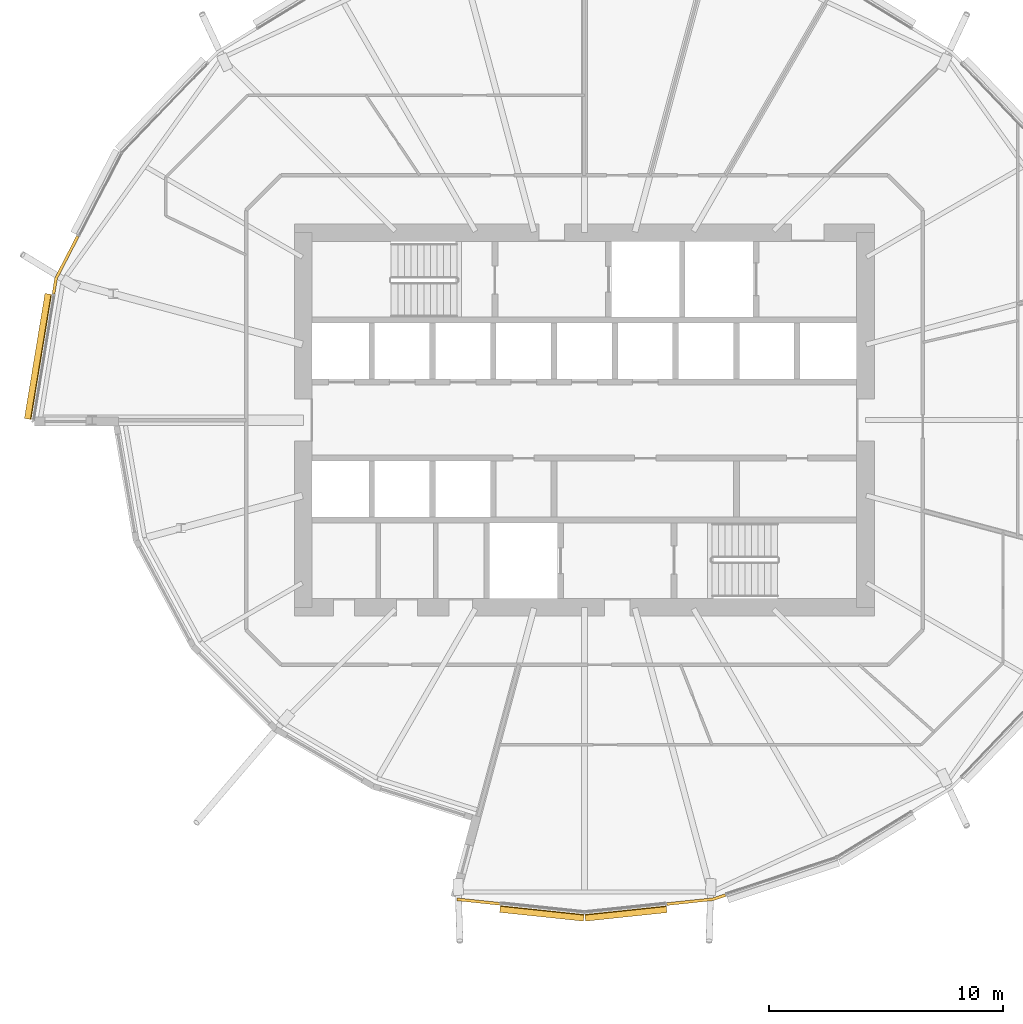
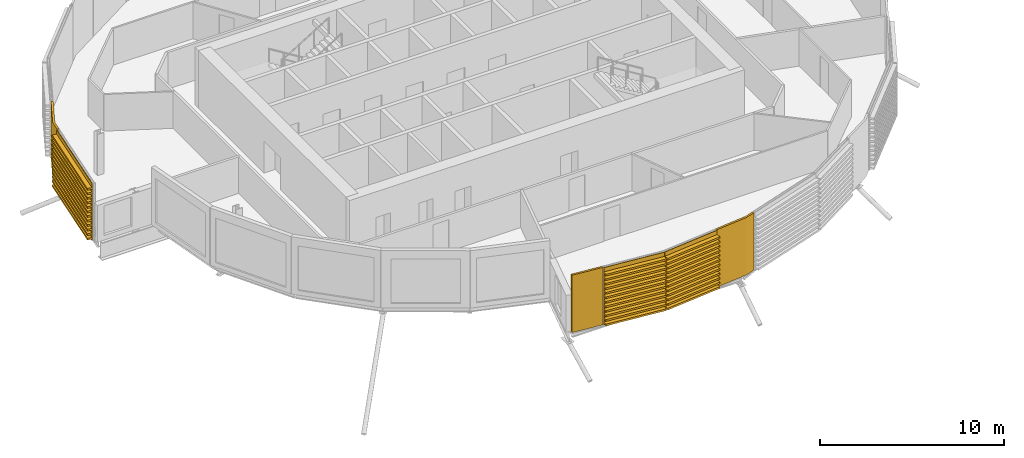
# One storey, part 33 of 39: 6 coverings.
"""IFC4 building model written with IfcOpenShell, lengths in metres."""

from ifc_helpers import new_model, si_unit, direction, frame, origin, place, context, subcontext, project, spatial, polyline, outline, extrude, material, layer, layer_set, material_profile, profile_set, type_object, element, save


model = new_model("IFC4")

# Units and contexts
model_context = context("Model", 3, precision=1e-05, world=origin(), true_north=direction((0.0, 1.0)))
body_context = subcontext(model_context, "Body", "Model", "MODEL_VIEW")
ifc_project = project(units=[si_unit("LENGTHUNIT", "METRE"), si_unit("AREAUNIT", "SQUARE_METRE"), si_unit("VOLUMEUNIT", "CUBIC_METRE"), si_unit("PLANEANGLEUNIT", "RADIAN"), si_unit("MASSUNIT", "GRAM", prefix="KILO")], contexts=[model_context])

# Site, building, storey
site_placement = place(None, origin())
site = spatial("IfcSite", under=ifc_project, at=site_placement, CompositionType="ELEMENT")
building_placement = place(site_placement, origin())
building = spatial("IfcBuilding", under=site, at=building_placement, Name="Rimbun Link Towers", CompositionType="ELEMENT")
storey_placement = place(building_placement, frame((0.0, 0.0, 96.800048828125)))
storey = spatial("IfcBuildingStorey", under=building, at=storey_placement, Name="L23", CompositionType="ELEMENT", Elevation=96.800048828125)

# Coverings
ifc_material_1 = material(Name="Terracotta", Category="masonry")
ifc_layer = layer(ifc_material_1, 0.1201171875)
ifc_layer_set = layer_set([ifc_layer], Name="LINK PIER terracotta cladding 120")
covering_type_1 = type_object("IfcCoveringType", Name="LINK PIER terracotta cladding 120", PredefinedType="CLADDING", material=ifc_layer_set)
covering_1_placement = place(storey_placement, origin())
element("IfcCovering", 1, at=covering_1_placement, inside=storey, type_object=covering_type_1, Name="LINK PIER cladding", PredefinedType="CLADDING", context=body_context, shape_type="SweptSolid", body=[
    extrude(outline(polyline([(-54.361572265625, 5.368408203125), (-54.252685546875, 6.029541015625), (-53.324462890625, 7.82373046875), (-53.43115234375, 7.87890625), (-54.3681640625, 6.06787109375), (-54.47998046875, 5.387939453125), (-54.361572265625, 5.368408203125)])), origin(), (0.0, 0.0, 1.0), 3.800048828125),
])
covering_2_placement = place(storey_placement, origin())
element("IfcCovering", 2, at=covering_2_placement, inside=storey, type_object=covering_type_1, Name="LINK PIER cladding", PredefinedType="CLADDING", context=body_context, shape_type="SweptSolid", body=[
    extrude(outline(polyline([(-35.356689453125, -20.59716796875), (-37.186767578125, -20.404541015625), (-37.19921875, -20.523681640625), (-35.369384765625, -20.716552734375), (-35.356689453125, -20.59716796875)])), origin(), (0.0, 0.0, 1.0), 3.800048828125),
])
covering_3_placement = place(storey_placement, origin())
element("IfcCovering", 3, at=covering_3_placement, inside=storey, type_object=covering_type_1, Name="LINK PIER cladding", PredefinedType="CLADDING", context=body_context, shape_type="SweptSolid", body=[
    extrude(outline(polyline([(-25.742431640625, -20.221923828125), (-26.283447265625, -20.4013671875), (-28.24267578125, -20.607666015625), (-28.22998046875, -20.72705078125), (-26.258056640625, -20.519287109375), (-25.70458984375, -20.3359375), (-25.742431640625, -20.221923828125)])), origin(), (0.0, 0.0, 1.0), 3.800048828125),
])
ifc_material_2 = material(Name="Terracotta", Category="masonry")
ifc_material_profile = material_profile(ifc_material_2, outline(polyline([(0.123046875, 0.0), (0.1630859375, 0.0), (0.1630859375, 0.10009765625), (0.423095703125, 0.10009765625), (0.423095703125, 0.219970703125), (0.1630859375, 0.219970703125), (0.1630859375, 0.39990234375), (0.423095703125, 0.39990234375), (0.423095703125, 0.52001953125), (0.1630859375, 0.52001953125), (0.1630859375, 0.699951171875), (0.423095703125, 0.699951171875), (0.423095703125, 0.820068359375), (0.1630859375, 0.820068359375), (0.1630859375, 1.0), (0.423095703125, 1.0), (0.423095703125, 1.1201171875), (0.1630859375, 1.1201171875), (0.1630859375, 1.300048828125), (0.423095703125, 1.300048828125), (0.423095703125, 1.419921875), (0.1630859375, 1.419921875), (0.1630859375, 1.60009765625), (0.423095703125, 1.60009765625), (0.423095703125, 1.719970703125), (0.1630859375, 1.719970703125), (0.1630859375, 1.89990234375), (0.423095703125, 1.89990234375), (0.423095703125, 2.02001953125), (0.1630859375, 2.02001953125), (0.1630859375, 2.199951171875), (0.423095703125, 2.199951171875), (0.423095703125, 2.320068359375), (0.1630859375, 2.320068359375), (0.1630859375, 2.5), (0.423095703125, 2.5), (0.423095703125, 2.6201171875), (0.1630859375, 2.6201171875), (0.1630859375, 2.800048828125), (0.423095703125, 2.800048828125), (0.423095703125, 2.919921875), (0.1630859375, 2.919921875), (0.1630859375, 3.10009765625), (0.423095703125, 3.10009765625), (0.423095703125, 3.219970703125), (0.1630859375, 3.219970703125), (0.1630859375, 3.39990234375), (0.423095703125, 3.39990234375), (0.423095703125, 3.52001953125), (0.1630859375, 3.52001953125), (0.1630859375, 3.800048828125), (0.123046875, 3.800048828125), (0.123046875, 0.0)])), Name="BAGUETTE 120X300")
ifc_profile_set = profile_set([ifc_material_profile], Name="Terracotta")
covering_type_2 = type_object("IfcCoveringType", Name="TERRACOTTA BAGUETTE 120X300 H3800", PredefinedType="CLADDING", material=ifc_profile_set)
covering_4_placement = place(storey_placement, frame((-55.244384765625, 0.0, 0.0), z_axis=(0.162261971035, 0.986747714847, 0.0), x_axis=(-0.986747714847, 0.162261971035, 0.0)))
element("IfcCovering", 4, at=covering_4_placement, inside=storey, type_object=covering_type_2, Name="TERRACOTTA BAGUETTE", PredefinedType="CLADDING", context=body_context, shape_type="SweptSolid", body=[
    extrude(outline(polyline([(0.123046875, 0.0), (0.1630859375, 0.0), (0.1630859375, 0.10009765625), (0.423095703125, 0.10009765625), (0.423095703125, 0.219970703125), (0.1630859375, 0.219970703125), (0.1630859375, 0.39990234375), (0.423095703125, 0.39990234375), (0.423095703125, 0.52001953125), (0.1630859375, 0.52001953125), (0.1630859375, 0.699951171875), (0.423095703125, 0.699951171875), (0.423095703125, 0.820068359375), (0.1630859375, 0.820068359375), (0.1630859375, 1.0), (0.423095703125, 1.0), (0.423095703125, 1.1201171875), (0.1630859375, 1.1201171875), (0.1630859375, 1.300048828125), (0.423095703125, 1.300048828125), (0.423095703125, 1.419921875), (0.1630859375, 1.419921875), (0.1630859375, 1.60009765625), (0.423095703125, 1.60009765625), (0.423095703125, 1.719970703125), (0.1630859375, 1.719970703125), (0.1630859375, 1.89990234375), (0.423095703125, 1.89990234375), (0.423095703125, 2.02001953125), (0.1630859375, 2.02001953125), (0.1630859375, 2.199951171875), (0.423095703125, 2.199951171875), (0.423095703125, 2.320068359375), (0.1630859375, 2.320068359375), (0.1630859375, 2.5), (0.423095703125, 2.5), (0.423095703125, 2.6201171875), (0.1630859375, 2.6201171875), (0.1630859375, 2.800048828125), (0.423095703125, 2.800048828125), (0.423095703125, 2.919921875), (0.1630859375, 2.919921875), (0.1630859375, 3.10009765625), (0.423095703125, 3.10009765625), (0.423095703125, 3.219970703125), (0.1630859375, 3.219970703125), (0.1630859375, 3.39990234375), (0.423095703125, 3.39990234375), (0.423095703125, 3.52001953125), (0.1630859375, 3.52001953125), (0.1630859375, 3.800048828125), (0.123046875, 3.800048828125), (0.123046875, 0.0)])), origin(), (0.0, 0.0, 1.0), 5.41064453125),
])
covering_5_placement = place(storey_placement, frame((-31.75, -20.97705078125, 0.0), z_axis=(-0.994499872387, 0.104737786028, 0.0), x_axis=(-0.104737786028, -0.994499872387, 0.0)))
element("IfcCovering", 5, at=covering_5_placement, inside=storey, type_object=covering_type_2, Name="TERRACOTTA BAGUETTE", PredefinedType="CLADDING", context=body_context, shape_type="SweptSolid", body=[
    extrude(outline(polyline([(0.123046875, 0.0), (0.1630859375, 0.0), (0.1630859375, 0.10009765625), (0.423095703125, 0.10009765625), (0.423095703125, 0.219970703125), (0.1630859375, 0.219970703125), (0.1630859375, 0.39990234375), (0.423095703125, 0.39990234375), (0.423095703125, 0.52001953125), (0.1630859375, 0.52001953125), (0.1630859375, 0.699951171875), (0.423095703125, 0.699951171875), (0.423095703125, 0.820068359375), (0.1630859375, 0.820068359375), (0.1630859375, 1.0), (0.423095703125, 1.0), (0.423095703125, 1.1201171875), (0.1630859375, 1.1201171875), (0.1630859375, 1.300048828125), (0.423095703125, 1.300048828125), (0.423095703125, 1.419921875), (0.1630859375, 1.419921875), (0.1630859375, 1.60009765625), (0.423095703125, 1.60009765625), (0.423095703125, 1.719970703125), (0.1630859375, 1.719970703125), (0.1630859375, 1.89990234375), (0.423095703125, 1.89990234375), (0.423095703125, 2.02001953125), (0.1630859375, 2.02001953125), (0.1630859375, 2.199951171875), (0.423095703125, 2.199951171875), (0.423095703125, 2.320068359375), (0.1630859375, 2.320068359375), (0.1630859375, 2.5), (0.423095703125, 2.5), (0.423095703125, 2.6201171875), (0.1630859375, 2.6201171875), (0.1630859375, 2.800048828125), (0.423095703125, 2.800048828125), (0.423095703125, 2.919921875), (0.1630859375, 2.919921875), (0.1630859375, 3.10009765625), (0.423095703125, 3.10009765625), (0.423095703125, 3.219970703125), (0.1630859375, 3.219970703125), (0.1630859375, 3.39990234375), (0.423095703125, 3.39990234375), (0.423095703125, 3.52001953125), (0.1630859375, 3.52001953125), (0.1630859375, 3.800048828125), (0.123046875, 3.800048828125), (0.123046875, 0.0)])), origin(), (0.0, 0.0, 1.0), 3.5966796875),
])
covering_6_placement = place(storey_placement, frame((-28.2724609375, -20.61083984375, 0.0), z_axis=(-0.994500861131, -0.104728397339, 0.0), x_axis=(0.104728397339, -0.994500861131, 0.0)))
element("IfcCovering", 6, at=covering_6_placement, inside=storey, type_object=covering_type_2, Name="TERRACOTTA BAGUETTE", PredefinedType="CLADDING", context=body_context, shape_type="SweptSolid", body=[
    extrude(outline(polyline([(0.123046875, 0.0), (0.1630859375, 0.0), (0.1630859375, 0.10009765625), (0.423095703125, 0.10009765625), (0.423095703125, 0.219970703125), (0.1630859375, 0.219970703125), (0.1630859375, 0.39990234375), (0.423095703125, 0.39990234375), (0.423095703125, 0.52001953125), (0.1630859375, 0.52001953125), (0.1630859375, 0.699951171875), (0.423095703125, 0.699951171875), (0.423095703125, 0.820068359375), (0.1630859375, 0.820068359375), (0.1630859375, 1.0), (0.423095703125, 1.0), (0.423095703125, 1.1201171875), (0.1630859375, 1.1201171875), (0.1630859375, 1.300048828125), (0.423095703125, 1.300048828125), (0.423095703125, 1.419921875), (0.1630859375, 1.419921875), (0.1630859375, 1.60009765625), (0.423095703125, 1.60009765625), (0.423095703125, 1.719970703125), (0.1630859375, 1.719970703125), (0.1630859375, 1.89990234375), (0.423095703125, 1.89990234375), (0.423095703125, 2.02001953125), (0.1630859375, 2.02001953125), (0.1630859375, 2.199951171875), (0.423095703125, 2.199951171875), (0.423095703125, 2.320068359375), (0.1630859375, 2.320068359375), (0.1630859375, 2.5), (0.423095703125, 2.5), (0.423095703125, 2.6201171875), (0.1630859375, 2.6201171875), (0.1630859375, 2.800048828125), (0.423095703125, 2.800048828125), (0.423095703125, 2.919921875), (0.1630859375, 2.919921875), (0.1630859375, 3.10009765625), (0.423095703125, 3.10009765625), (0.423095703125, 3.219970703125), (0.1630859375, 3.219970703125), (0.1630859375, 3.39990234375), (0.423095703125, 3.39990234375), (0.423095703125, 3.52001953125), (0.1630859375, 3.52001953125), (0.1630859375, 3.800048828125), (0.123046875, 3.800048828125), (0.123046875, 0.0)])), origin(), (0.0, 0.0, 1.0), 3.496826171875),
])

save(model, "model.ifc")
